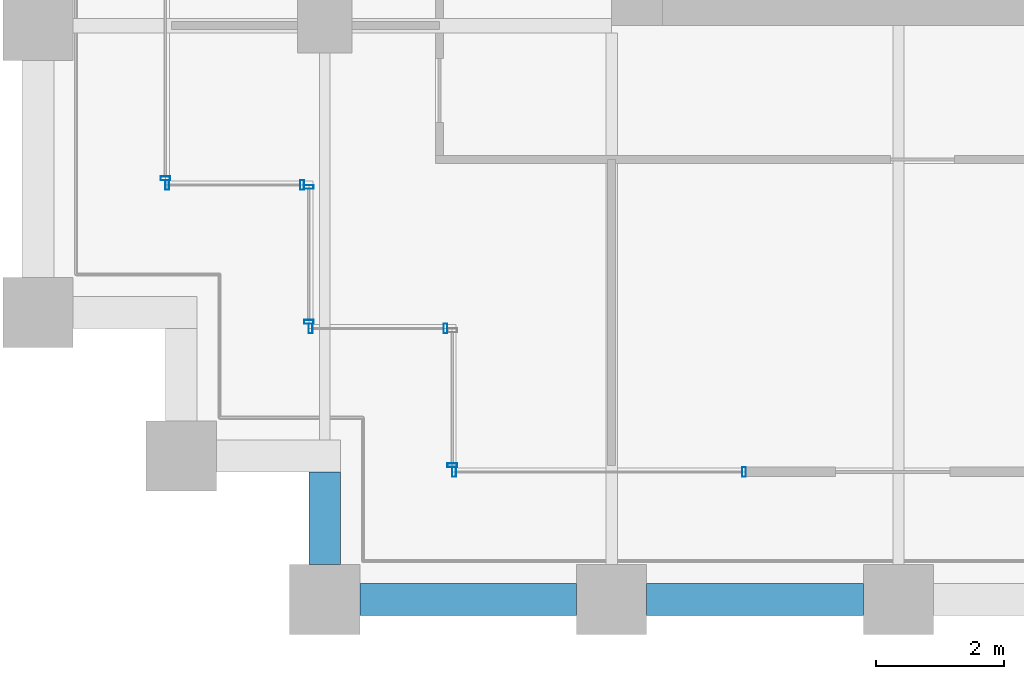
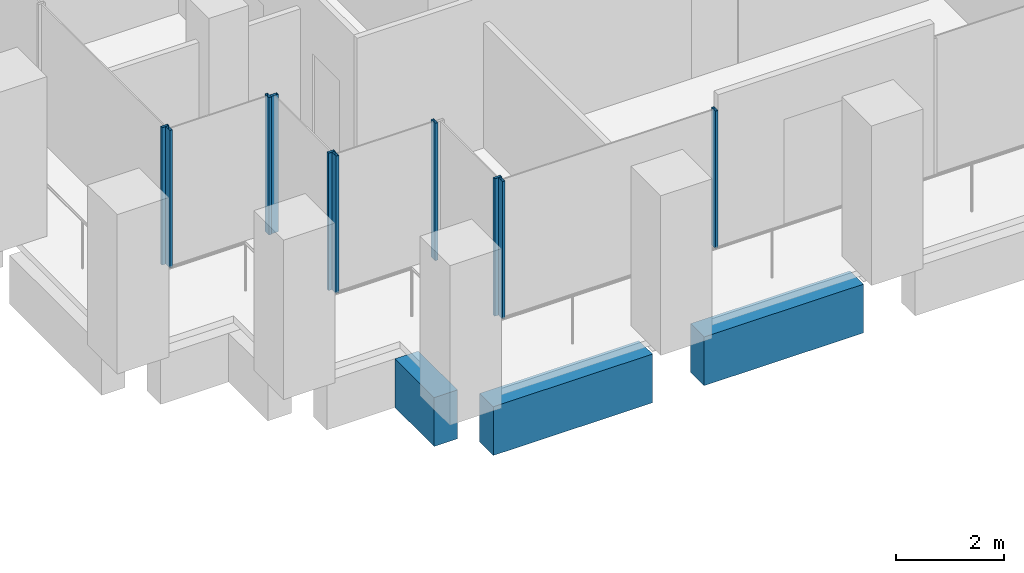
# One storey, part 34 of 56: 10 members, 3 beams, 6 elements without a shape of their own.
"""IFC4 building model written with IfcOpenShell, lengths in metres."""

import ifcopenshell
import ifcopenshell.guid

model = None  # the IFC model being written
_history = None  # IfcOwnerHistory: only IFC2X3 demands one
_inside = {}  # id of a spatial element -> (the spatial element, [elements in it])
_under = {}  # id of a project, library or spatial element -> (it, [spatial elements below it])
_declared = {}  # id of a project -> (the project, [libraries it declares])
_typed = {}  # id of a type object -> (the type object, [elements of that type])
_made_of = {}  # id of a material, layer set ... -> (it, [elements and type objects made of it])


def new_model(schema):
    """Start an empty IFC model of exactly this schema.

    Asked for "IFC4X3", IfcOpenShell would pick the latest addendum, in which some entities
    have other attributes; the version numbers below select the first issue.
    IFC2X3 requires an IfcOwnerHistory on every rooted entity: one is made here for all.
    """
    global model, _history
    if schema == "IFC4X3":
        model = ifcopenshell.file(schema_version=(4, 3, 0, 0))
    else:
        model = ifcopenshell.file(schema=schema)
    _inside.clear()
    _under.clear()
    _declared.clear()
    _typed.clear()
    _made_of.clear()
    _history = None
    if model.schema == "IFC2X3":
        org = make("IfcOrganization", Name="unknown")
        user = make(
            "IfcPersonAndOrganization",
            ThePerson=make("IfcPerson", FamilyName="unknown"),
            TheOrganization=org,
        )
        app = make(
            "IfcApplication",
            ApplicationDeveloper=org,
            Version="unknown",
            ApplicationFullName="unknown",
            ApplicationIdentifier="unknown",
        )
        _history = make(
            "IfcOwnerHistory",
            OwningUser=user,
            OwningApplication=app,
            ChangeAction="ADDED",
            CreationDate=0,
        )
    return model


def make(cls, **values):
    """One entity of the class cls with the attributes given. An attribute that is None is left unset."""
    return model.create_entity(
        cls, **{name: value for name, value in values.items() if value is not None}
    )


def rooted(cls, **values):
    """An entity with a GlobalId (a new one), such as an element, a storey or a relation."""
    return make(cls, GlobalId=ifcopenshell.guid.new(), OwnerHistory=_history, **values)


def si_unit(unit_type, name, prefix=None):
    """IfcSIUnit, for example si_unit("LENGTHUNIT", "METRE", prefix="MILLI")."""
    return make("IfcSIUnit", UnitType=unit_type, Prefix=prefix, Name=name)


def assignment(units):
    """IfcUnitAssignment: the units of a project."""
    return None if units is None else make("IfcUnitAssignment", Units=units)


def point(xyz):
    """IfcCartesianPoint."""
    return None if xyz is None else make("IfcCartesianPoint", Coordinates=xyz)


def direction(xyz):
    """IfcDirection."""
    return None if xyz is None else make("IfcDirection", DirectionRatios=xyz)


def frame(location, z_axis=None, x_axis=None):
    """IfcAxis2Placement3D, a coordinate frame: its origin and axes. An axis left out is left unset."""
    return make(
        "IfcAxis2Placement3D",
        Location=point(location),
        Axis=direction(z_axis),
        RefDirection=direction(x_axis),
    )


def frame_2d(location, x_axis=None):
    """IfcAxis2Placement2D, a coordinate frame in the plane: its origin and x axis."""
    return make(
        "IfcAxis2Placement2D", Location=point(location), RefDirection=direction(x_axis)
    )


def origin():
    """The frame at (0, 0, 0) with its axes left unset."""
    return frame((0.0, 0.0, 0.0))


def origin_2d():
    """The frame at (0, 0) in the plane with its x axis left unset."""
    return frame_2d((0.0, 0.0))


def place(relative_to, where):
    """IfcLocalPlacement: puts the frame where relative to a parent placement (None: the world)."""
    return make(
        "IfcLocalPlacement", PlacementRelTo=relative_to, RelativePlacement=where
    )


def context(
    kind, dimensions, precision=None, world=None, true_north=None, identifier=None
):
    """IfcGeometricRepresentationContext, for example the 3D "Model" context."""
    return make(
        "IfcGeometricRepresentationContext",
        ContextIdentifier=identifier,
        ContextType=kind,
        CoordinateSpaceDimension=dimensions,
        Precision=precision,
        WorldCoordinateSystem=world,
        TrueNorth=true_north,
    )


def subcontext(parent, identifier, kind, view, scale=None):
    """IfcGeometricRepresentationSubContext, for example "Body" below "Model"."""
    return make(
        "IfcGeometricRepresentationSubContext",
        ContextIdentifier=identifier,
        ContextType=kind,
        ParentContext=parent,
        TargetScale=scale,
        TargetView=view,
    )


def project(units=None, contexts=None):
    """IfcProject with its units and contexts."""
    return rooted(
        "IfcProject",
        Name="project",
        RepresentationContexts=contexts,
        UnitsInContext=assignment(units),
    )


def spatial(cls, under=None, at=None, **own):
    """A site, building, storey or space (cls), placed at a placement, below another one or the project."""
    s = rooted(cls, ObjectPlacement=at, **own)
    if under is not None:
        _under.setdefault(under.id(), (under, []))[1].append(s)
    return s


def profile(cls, at=None, kind="AREA", **sizes):
    """A parametric profile (cls). Its sizes go by their IFC names, for example OverallWidth=200.0."""
    return make(cls, ProfileType=kind, Position=at, **sizes)


def rectangle(**sizes):
    """IfcRectangleProfileDef."""
    return profile("IfcRectangleProfileDef", **sizes)


def hollow_rectangle(**sizes):
    """IfcRectangleHollowProfileDef."""
    return profile("IfcRectangleHollowProfileDef", **sizes)


def extrude(swept, where, along, depth):
    """IfcExtrudedAreaSolid: the profile swept, set in the frame where, extruded along a direction by depth."""
    return make(
        "IfcExtrudedAreaSolid",
        SweptArea=swept,
        Position=where,
        ExtrudedDirection=direction(along),
        Depth=depth,
    )


def shape(context_of_items, identifier, shape_type, items):
    """IfcShapeRepresentation: the items that make up one representation, for example the "Body"."""
    return make(
        "IfcShapeRepresentation",
        ContextOfItems=context_of_items,
        RepresentationIdentifier=identifier,
        RepresentationType=shape_type,
        Items=items,
    )


def material(Name=None, Category=None):
    """IfcMaterial."""
    return make("IfcMaterial", Name=Name, Category=Category)


def material_profile(
    of_material, cross_section, Name=None, Category=None, Priority=None
):
    """IfcMaterialProfile: a cross section and its material."""
    return make(
        "IfcMaterialProfile",
        Name=Name,
        Material=of_material,
        Profile=cross_section,
        Priority=Priority,
        Category=Category,
    )


def profile_set(profiles, Name=None, composite=None):
    """IfcMaterialProfileSet."""
    return make(
        "IfcMaterialProfileSet",
        Name=Name,
        MaterialProfiles=profiles,
        CompositeProfile=composite,
    )


def made_of(thing, what):
    """Note that an element or type object is made of a material, layer set ...; save() writes the relation."""
    if what is not None:
        _made_of.setdefault(what.id(), (what, []))[1].append(thing)
    return thing


def type_object(cls, material=None, **own):
    """A type object (cls), such as IfcWallType, which elements share."""
    return made_of(rooted(cls, **own), material)


def element(
    cls,
    number,
    at=None,
    inside=None,
    cuts=None,
    type_object=None,
    material=None,
    context=None,
    identifier="Body",
    shape_type=None,
    held_by="IfcProductDefinitionShape",
    body=None,
    shapes=None,
    **own,
):
    """One element of the class cls, such as IfcWall. Its Tag is "e" and its number.

    at: its placement. inside: the storey or other place that contains it. cuts: it is an
    opening in that element (IfcRelVoidsElement). A single representation is given by context,
    identifier, shape_type and body (its items); several are given by shapes. held_by: the class
    of the entity that holds the representations. save() writes the other relations.
    """
    e = rooted(cls, Tag="e%d" % number, ObjectPlacement=at, **own)
    if body is not None:
        shapes = [shape(context, identifier, shape_type, body)]
    if shapes is not None:
        e.Representation = make(held_by, Representations=shapes)
    if inside is not None:
        _inside.setdefault(inside.id(), (inside, []))[1].append(e)
    if cuts is not None:
        rooted(
            "IfcRelVoidsElement", RelatingBuildingElement=cuts, RelatedOpeningElement=e
        )
    if type_object is not None:
        _typed.setdefault(type_object.id(), (type_object, []))[1].append(e)
    return made_of(e, material)


def aggregate(whole, parts):
    """IfcRelAggregates: a whole, such as a stair, and the parts it consists of."""
    return rooted("IfcRelAggregates", RelatingObject=whole, RelatedObjects=parts)


def save(model, path):
    """Write the relations noted so far, then the file.

    IfcRelAggregates (storeys below a building ...), IfcRelContainedInSpatialStructure (elements
    in a storey), IfcRelDefinesByType, IfcRelAssociatesMaterial and IfcRelDeclares: one each for
    every whole, place, type object, material and project.
    """
    for whole, parts in _under.values():
        aggregate(whole, parts)
    for where, things in _inside.values():
        rooted(
            "IfcRelContainedInSpatialStructure",
            RelatedElements=things,
            RelatingStructure=where,
        )
    for kind, things in _typed.values():
        rooted("IfcRelDefinesByType", RelatedObjects=things, RelatingType=kind)
    for what, things in _made_of.values():
        rooted("IfcRelAssociatesMaterial", RelatedObjects=things, RelatingMaterial=what)
    for by, libraries in _declared.values():
        rooted("IfcRelDeclares", RelatingContext=by, RelatedDefinitions=libraries)
    model.write(path)


model = new_model("IFC4")

# Units and contexts
model_context = context("Model", 3, precision=1e-05, world=origin(), true_north=direction((0.0, 1.0)))
body_context = subcontext(model_context, "Body", "Model", "MODEL_VIEW")
ifc_project = project(units=[si_unit("LENGTHUNIT", "METRE"), si_unit("AREAUNIT", "SQUARE_METRE"), si_unit("VOLUMEUNIT", "CUBIC_METRE"), si_unit("PLANEANGLEUNIT", "RADIAN"), si_unit("MASSUNIT", "GRAM", prefix="KILO")], contexts=[model_context])

# Site, building, storey
site_placement = place(None, origin())
site = spatial("IfcSite", under=ifc_project, at=site_placement, CompositionType="ELEMENT")
building_placement = place(site_placement, origin())
building = spatial("IfcBuilding", under=site, at=building_placement, Name="Altepetl Exchange Towers", CompositionType="ELEMENT")
storey_placement = place(building_placement, frame((0.0, 0.0, 51.0)))
storey = spatial("IfcBuildingStorey", under=building, at=storey_placement, Name="L11", CompositionType="ELEMENT", Elevation=51.0)

# Curtain wall, member
ifc_material_1 = material(Name="Aluminium 6063-T6 glazing", Category="aluminium")
curtain_wall_type = type_object("IfcCurtainWallType", Name="Loggia glazing system", PredefinedType="NOTDEFINED", material=ifc_material_1)
curtain_wall_1_placement = place(storey_placement, origin())
curtain_wall_1 = element("IfcCurtainWall", 1, at=curtain_wall_1_placement, inside=storey, type_object=curtain_wall_type, Name="CW1 run", PredefinedType="NOTDEFINED")
ifc_material_2 = material(Name="Aluminium 6063-T6", Category="aluminium")
ifc_material_profile_1 = material_profile(ifc_material_2, hollow_rectangle(XDim=0.06005859375, YDim=0.14990234375, WallThickness=0.0029296875, at=origin_2d()), Name="Mullion 60x150 aluminium")
ifc_profile_set_1 = profile_set([ifc_material_profile_1], Name="Aluminium 6063-T6")
member_type = type_object("IfcMemberType", Name="Mullion 60x150 aluminium", PredefinedType="MULLION", material=ifc_profile_set_1)
member_1_placement = place(storey_placement, frame((96.5, 33.60498046875, 0.0), z_axis=(0.0, 0.0, 1.0), x_axis=(0.0, -1.0, 0.0)))
member_1 = element("IfcMember", 2, at=member_1_placement, type_object=member_type, Name="MU1 mullion", PredefinedType="MULLION", context=body_context, shape_type="SweptSolid", body=[
    extrude(hollow_rectangle(XDim=0.06005859375, YDim=0.14990234375, WallThickness=0.0029296875, at=origin_2d()), origin(), (0.0, 0.0, 1.0), 3.10009765625),
])
aggregate(curtain_wall_1, [member_1])

# Curtain wall, members
curtain_wall_2_placement = place(storey_placement, origin())
curtain_wall_2 = element("IfcCurtainWall", 3, at=curtain_wall_2_placement, inside=storey, type_object=curtain_wall_type, Name="CW1 run", PredefinedType="NOTDEFINED")
member_2_placement = place(storey_placement, frame((96.530029296875, 33.5, 0.0)))
member_2 = element("IfcMember", 4, at=member_2_placement, type_object=member_type, Name="MU1 mullion", PredefinedType="MULLION", context=body_context, shape_type="SweptSolid", body=[
    extrude(hollow_rectangle(XDim=0.06005859375, YDim=0.14990234375, WallThickness=0.0029296875, at=origin_2d()), origin(), (0.0, 0.0, 1.0), 3.10009765625),
])
member_3_placement = place(storey_placement, frame((98.64501953125, 33.5, 0.0)))
member_3 = element("IfcMember", 5, at=member_3_placement, type_object=member_type, Name="MU1 mullion", PredefinedType="MULLION", context=body_context, shape_type="SweptSolid", body=[
    extrude(hollow_rectangle(XDim=0.06005859375, YDim=0.14990234375, WallThickness=0.0029296875, at=origin_2d()), origin(), (0.0, 0.0, 1.0), 3.10009765625),
])
aggregate(curtain_wall_2, [member_2, member_3])

curtain_wall_3_placement = place(storey_placement, origin())
curtain_wall_3 = element("IfcCurtainWall", 6, at=curtain_wall_3_placement, inside=storey, type_object=curtain_wall_type, Name="CW1 run", PredefinedType="NOTDEFINED")
member_4_placement = place(storey_placement, frame((98.75, 33.469970703125, 0.0), z_axis=(0.0, 0.0, 1.0), x_axis=(0.0, -1.0, 0.0)))
member_4 = element("IfcMember", 7, at=member_4_placement, type_object=member_type, Name="MU1 mullion", PredefinedType="MULLION", context=body_context, shape_type="SweptSolid", body=[
    extrude(hollow_rectangle(XDim=0.06005859375, YDim=0.14990234375, WallThickness=0.0029296875, at=origin_2d()), origin(), (0.0, 0.0, 1.0), 3.10009765625),
])
member_5_placement = place(storey_placement, frame((98.75, 31.35498046875, 0.0), z_axis=(0.0, 0.0, 1.0), x_axis=(0.0, -1.0, 0.0)))
member_5 = element("IfcMember", 8, at=member_5_placement, type_object=member_type, Name="MU1 mullion", PredefinedType="MULLION", context=body_context, shape_type="SweptSolid", body=[
    extrude(hollow_rectangle(XDim=0.06005859375, YDim=0.14990234375, WallThickness=0.0029296875, at=origin_2d()), origin(), (0.0, 0.0, 1.0), 3.10009765625),
])
aggregate(curtain_wall_3, [member_4, member_5])

curtain_wall_4_placement = place(storey_placement, origin())
curtain_wall_4 = element("IfcCurtainWall", 9, at=curtain_wall_4_placement, inside=storey, type_object=curtain_wall_type, Name="CW1 run", PredefinedType="NOTDEFINED")
member_6_placement = place(storey_placement, frame((98.780029296875, 31.25, 0.0)))
member_6 = element("IfcMember", 10, at=member_6_placement, type_object=member_type, Name="MU1 mullion", PredefinedType="MULLION", context=body_context, shape_type="SweptSolid", body=[
    extrude(hollow_rectangle(XDim=0.06005859375, YDim=0.14990234375, WallThickness=0.0029296875, at=origin_2d()), origin(), (0.0, 0.0, 1.0), 3.10009765625),
])
member_7_placement = place(storey_placement, frame((100.89501953125, 31.25, 0.0)))
member_7 = element("IfcMember", 11, at=member_7_placement, type_object=member_type, Name="MU1 mullion", PredefinedType="MULLION", context=body_context, shape_type="SweptSolid", body=[
    extrude(hollow_rectangle(XDim=0.06005859375, YDim=0.14990234375, WallThickness=0.0029296875, at=origin_2d()), origin(), (0.0, 0.0, 1.0), 3.10009765625),
])
aggregate(curtain_wall_4, [member_6, member_7])

# Curtain wall, member
curtain_wall_5_placement = place(storey_placement, origin())
curtain_wall_5 = element("IfcCurtainWall", 12, at=curtain_wall_5_placement, inside=storey, type_object=curtain_wall_type, Name="CW1 run", PredefinedType="NOTDEFINED")
member_8_placement = place(storey_placement, frame((101.0, 29.10498046875, 0.0), z_axis=(0.0, 0.0, 1.0), x_axis=(0.0, -1.0, 0.0)))
member_8 = element("IfcMember", 13, at=member_8_placement, type_object=member_type, Name="MU1 mullion", PredefinedType="MULLION", context=body_context, shape_type="SweptSolid", body=[
    extrude(hollow_rectangle(XDim=0.06005859375, YDim=0.14990234375, WallThickness=0.0029296875, at=origin_2d()), origin(), (0.0, 0.0, 1.0), 3.10009765625),
])
aggregate(curtain_wall_5, [member_8])

# Curtain wall, members
curtain_wall_6_placement = place(storey_placement, origin())
curtain_wall_6 = element("IfcCurtainWall", 14, at=curtain_wall_6_placement, inside=storey, type_object=curtain_wall_type, Name="CW1 run", PredefinedType="NOTDEFINED")
member_9_placement = place(storey_placement, frame((101.030029296875, 29.0, 0.0)))
member_9 = element("IfcMember", 15, at=member_9_placement, type_object=member_type, Name="MU1 mullion", PredefinedType="MULLION", context=body_context, shape_type="SweptSolid", body=[
    extrude(hollow_rectangle(XDim=0.06005859375, YDim=0.14990234375, WallThickness=0.0029296875, at=origin_2d()), origin(), (0.0, 0.0, 1.0), 3.10009765625),
])
member_10_placement = place(storey_placement, frame((105.576171875, 29.0, 0.0)))
member_10 = element("IfcMember", 16, at=member_10_placement, type_object=member_type, Name="MU1 mullion", PredefinedType="MULLION", context=body_context, shape_type="SweptSolid", body=[
    extrude(hollow_rectangle(XDim=0.06005859375, YDim=0.14990234375, WallThickness=0.0029296875, at=origin_2d()), origin(), (0.0, 0.0, 1.0), 3.10009765625),
])
aggregate(curtain_wall_6, [member_9, member_10])

# Beams
ifc_material_3 = material(Name="Concrete C50/60 precast with tezontle facing", Category="concrete")
ifc_material_profile_2 = material_profile(ifc_material_3, rectangle(XDim=0.5, YDim=1.10009765625, at=origin_2d()), Name="500 x 1100")
ifc_profile_set_2 = profile_set([ifc_material_profile_2], Name="Concrete C50/60 precast with tezontle facing")
beam_type = type_object("IfcBeamType", Name="Spandrel beam 500x1100 tezontle", PredefinedType="SPANDREL", material=ifc_profile_set_2)
for number, where, z_axis, x_axis, name in (
    (17, (99.550048828125, 27.0, -0.699951171875), (1.0, 0.0, 0.0), (0.0, 1.0, 0.0), "sp:B:L11:000"),
    (18, (104.050048828125, 27.0, -0.699951171875), (1.0, 0.0, 0.0), (0.0, 1.0, 0.0), "sp:B:L11:001"),
):
    element("IfcBeam", number, at=place(storey_placement, frame(where, z_axis=z_axis, x_axis=x_axis)), inside=storey, type_object=beam_type, Name=name, PredefinedType="SPANDREL", context=body_context, shape_type="SweptSolid", body=[
        extrude(rectangle(XDim=0.5, YDim=1.10009765625, at=origin_2d()), origin(), (0.0, 0.0, 1.0), 3.39990234375),
    ])
beam_placement = place(storey_placement, frame((99.0, 29.0, -0.699951171875), z_axis=(0.0, -1.0, 0.0), x_axis=(1.0, 0.0, 0.0)))
element("IfcBeam", 19, at=beam_placement, inside=storey, type_object=beam_type, Name="sp:B:L11:035", PredefinedType="SPANDREL", context=body_context, shape_type="SweptSolid", body=[
    extrude(rectangle(XDim=0.5, YDim=1.10009765625, at=origin_2d()), origin(), (0.0, 0.0, 1.0), 1.449951171875),
])

save(model, "model.ifc")
